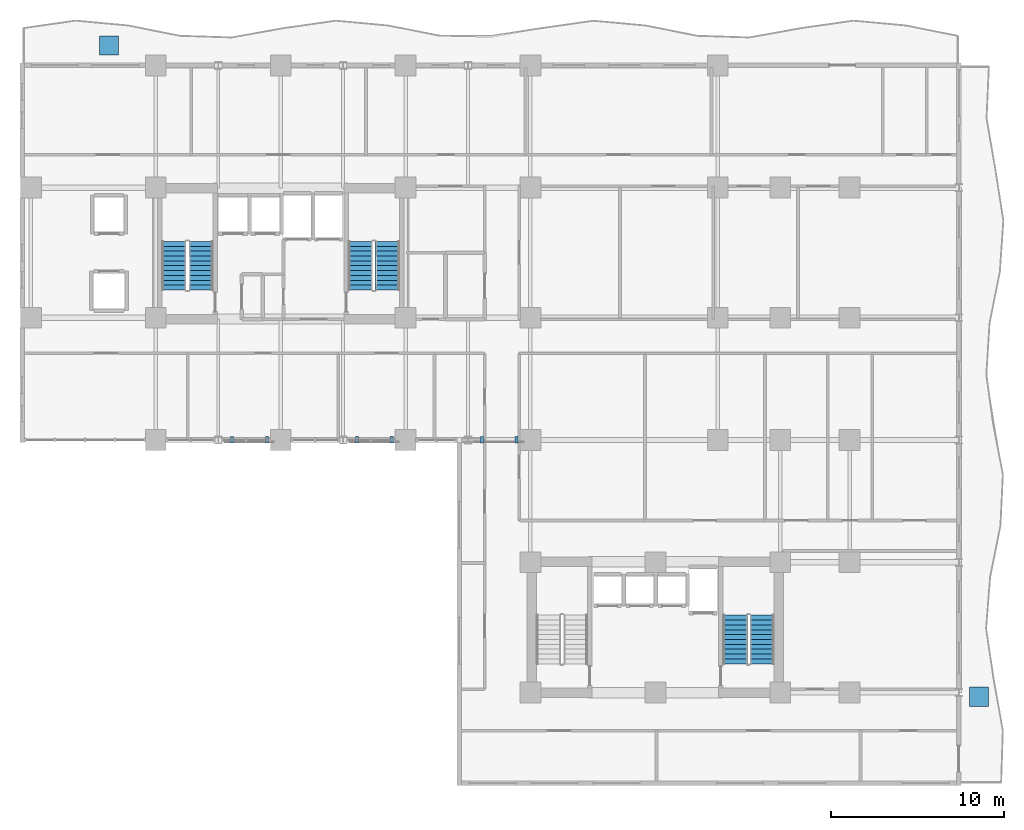
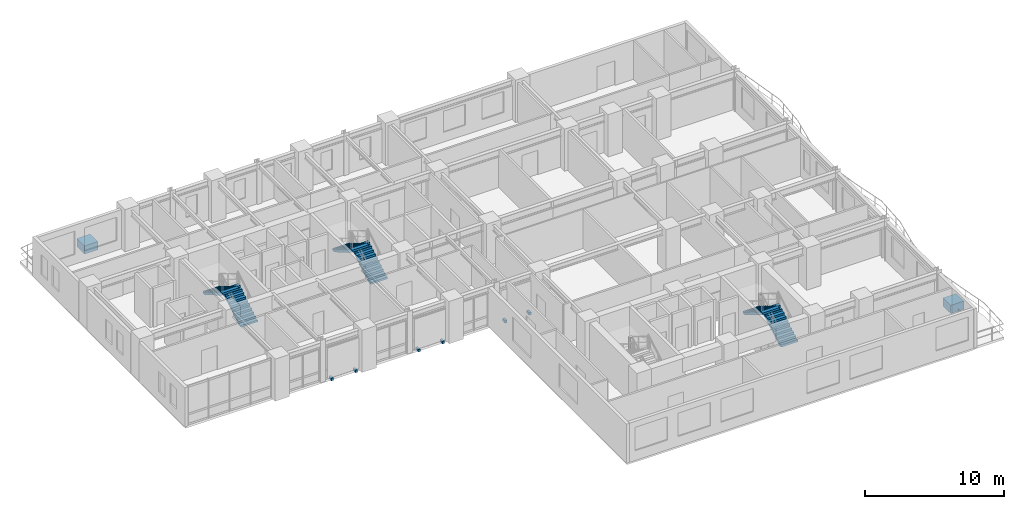
# One storey, part 13 of 16: 8 discrete accessories, 6 stair flights, 3 elements without a shape of their own.
"""IFC4 building model written with IfcOpenShell, lengths in metres."""

from ifc_helpers import new_model, si_unit, direction, frame, origin, origin_2d, place, context, subcontext, project, spatial, polyline, rectangle, outline, extrude, source, transform, mapped, material, type_object, element, aggregate, save


model = new_model("IFC4")

# Units and contexts
model_context = context("Model", 3, precision=1e-05, world=origin(), true_north=direction((0.0, 1.0)))
body_context = subcontext(model_context, "Body", "Model", "MODEL_VIEW")
ifc_project = project(units=[si_unit("LENGTHUNIT", "METRE"), si_unit("AREAUNIT", "SQUARE_METRE"), si_unit("VOLUMEUNIT", "CUBIC_METRE"), si_unit("PLANEANGLEUNIT", "RADIAN"), si_unit("MASSUNIT", "GRAM", prefix="KILO")], contexts=[model_context])

# Site, building, storey
site_placement = place(None, origin())
site = spatial("IfcSite", under=ifc_project, at=site_placement, CompositionType="ELEMENT")
building_placement = place(site_placement, origin())
building = spatial("IfcBuilding", under=site, at=building_placement, Name="Kaliganga Portal Commons", CompositionType="ELEMENT")
storey_placement = place(building_placement, frame((0.0, 0.0, 82.300048828125)))
storey = spatial("IfcBuildingStorey", under=building, at=storey_placement, Name="L20", CompositionType="ELEMENT", Elevation=82.300048828125)

# Stair, stair flights
ifc_material_1 = material(Name="Concrete C40/50", Category="concrete")
stair_type = type_object("IfcStairType", Name="ST-CORE-DOGLEG", PredefinedType="HALF_TURN_STAIR", material=ifc_material_1)
stair_1_placement = place(storey_placement, origin())
stair_1 = element("IfcStair", 1, at=stair_1_placement, inside=storey, type_object=stair_type, Name="L20 Protected Exit Stair ST-A1", PredefinedType="HALF_TURN_STAIR")
stair_flight_type = type_object("IfcStairFlightType", Name="STF-RC-1400", PredefinedType="STRAIGHT", material=ifc_material_1)
stair_flight_1_placement = place(storey_placement, frame((17.0, 30.25, 0.0), z_axis=(0.0, 0.0, 1.0), x_axis=(0.0, 1.0, 0.0)))
stair_flight_1 = element("IfcStairFlight", 2, at=stair_flight_1_placement, type_object=stair_flight_type, Name="ST-A1 flight 1", NumberOfRisers=11, NumberOfTreads=10, PredefinedType="STRAIGHT", RiserHeight=0.168181818, TreadLength=0.28, context=body_context, shape_type="SweptSolid", body=[
    extrude(outline(polyline([(0.0, 0.0), (0.0, 0.168212890625), (0.280029296875, 0.168212890625), (0.280029296875, 0.33642578125), (0.56005859375, 0.33642578125), (0.56005859375, 0.504638671875), (0.840087890625, 0.504638671875), (0.840087890625, 0.672607421875), (1.1201171875, 0.672607421875), (1.1201171875, 0.8408203125), (1.39990234375, 0.8408203125), (1.39990234375, 1.009033203125), (1.679931640625, 1.009033203125), (1.679931640625, 1.17724609375), (1.9599609375, 1.17724609375), (1.9599609375, 1.345458984375), (2.239990234375, 1.345458984375), (2.239990234375, 1.513671875), (2.52001953125, 1.513671875), (2.52001953125, 1.681884765625), (2.800048828125, 1.681884765625), (2.800048828125, 1.85009765625), (2.800048828125, 1.5068359375), (0.291015625, 0.0), (0.0, 0.0)])), frame((0.0, 0.699951171875, 0.0), z_axis=(0.0, -1.0, 0.0), x_axis=(1.0, 0.0, 0.0)), (0.0, 0.0, 1.0), 1.39990234375),
])
stair_flight_2_placement = place(storey_placement, frame((15.449951171875, 33.050048828125, 1.849853515625), z_axis=(0.0, 0.0, 1.0), x_axis=(0.0, -1.0, 0.0)))
stair_flight_2 = element("IfcStairFlight", 3, at=stair_flight_2_placement, type_object=stair_flight_type, Name="ST-A1 flight 2", NumberOfRisers=11, NumberOfTreads=10, PredefinedType="STRAIGHT", RiserHeight=0.168181818, TreadLength=0.28, context=body_context, shape_type="SweptSolid", body=[
    extrude(outline(polyline([(0.0, 0.0), (0.0, 0.168212890625), (0.280029296875, 0.168212890625), (0.280029296875, 0.33642578125), (0.56005859375, 0.33642578125), (0.56005859375, 0.504638671875), (0.840087890625, 0.504638671875), (0.840087890625, 0.672607421875), (1.1201171875, 0.672607421875), (1.1201171875, 0.8408203125), (1.39990234375, 0.8408203125), (1.39990234375, 1.009033203125), (1.679931640625, 1.009033203125), (1.679931640625, 1.17724609375), (1.9599609375, 1.17724609375), (1.9599609375, 1.345458984375), (2.239990234375, 1.345458984375), (2.239990234375, 1.513671875), (2.52001953125, 1.513671875), (2.52001953125, 1.681884765625), (2.800048828125, 1.681884765625), (2.800048828125, 1.85009765625), (2.800048828125, 1.5068359375), (0.291015625, 0.0), (0.0, 0.0)])), frame((0.0, 0.699951171875, 0.0), z_axis=(0.0, -1.0, 0.0), x_axis=(1.0, 0.0, 0.0)), (0.0, 0.0, 1.0), 1.39990234375),
])
aggregate(stair_1, [stair_flight_1, stair_flight_2])

stair_2_placement = place(storey_placement, origin())
stair_2 = element("IfcStair", 4, at=stair_2_placement, inside=storey, type_object=stair_type, Name="L20 Protected Exit Stair ST-A2", PredefinedType="HALF_TURN_STAIR")
stair_flight_3_placement = place(storey_placement, frame((27.75, 30.25, 0.0), z_axis=(0.0, 0.0, 1.0), x_axis=(0.0, 1.0, 0.0)))
stair_flight_3 = element("IfcStairFlight", 5, at=stair_flight_3_placement, type_object=stair_flight_type, Name="ST-A2 flight 1", NumberOfRisers=11, NumberOfTreads=10, PredefinedType="STRAIGHT", RiserHeight=0.168181818, TreadLength=0.28, context=body_context, shape_type="SweptSolid", body=[
    extrude(outline(polyline([(0.0, 0.0), (0.0, 0.168212890625), (0.280029296875, 0.168212890625), (0.280029296875, 0.33642578125), (0.56005859375, 0.33642578125), (0.56005859375, 0.504638671875), (0.840087890625, 0.504638671875), (0.840087890625, 0.672607421875), (1.1201171875, 0.672607421875), (1.1201171875, 0.8408203125), (1.39990234375, 0.8408203125), (1.39990234375, 1.009033203125), (1.679931640625, 1.009033203125), (1.679931640625, 1.17724609375), (1.9599609375, 1.17724609375), (1.9599609375, 1.345458984375), (2.239990234375, 1.345458984375), (2.239990234375, 1.513671875), (2.52001953125, 1.513671875), (2.52001953125, 1.681884765625), (2.800048828125, 1.681884765625), (2.800048828125, 1.85009765625), (2.800048828125, 1.5068359375), (0.291015625, 0.0), (0.0, 0.0)])), frame((0.0, 0.699951171875, 0.0), z_axis=(0.0, -1.0, 0.0), x_axis=(1.0, 0.0, 0.0)), (0.0, 0.0, 1.0), 1.39990234375),
])
stair_flight_4_placement = place(storey_placement, frame((26.199951171875, 33.050048828125, 1.849853515625), z_axis=(0.0, 0.0, 1.0), x_axis=(0.0, -1.0, 0.0)))
stair_flight_4 = element("IfcStairFlight", 6, at=stair_flight_4_placement, type_object=stair_flight_type, Name="ST-A2 flight 2", NumberOfRisers=11, NumberOfTreads=10, PredefinedType="STRAIGHT", RiserHeight=0.168181818, TreadLength=0.28, context=body_context, shape_type="SweptSolid", body=[
    extrude(outline(polyline([(0.0, 0.0), (0.0, 0.168212890625), (0.280029296875, 0.168212890625), (0.280029296875, 0.33642578125), (0.56005859375, 0.33642578125), (0.56005859375, 0.504638671875), (0.840087890625, 0.504638671875), (0.840087890625, 0.672607421875), (1.1201171875, 0.672607421875), (1.1201171875, 0.8408203125), (1.39990234375, 0.8408203125), (1.39990234375, 1.009033203125), (1.679931640625, 1.009033203125), (1.679931640625, 1.17724609375), (1.9599609375, 1.17724609375), (1.9599609375, 1.345458984375), (2.239990234375, 1.345458984375), (2.239990234375, 1.513671875), (2.52001953125, 1.513671875), (2.52001953125, 1.681884765625), (2.800048828125, 1.681884765625), (2.800048828125, 1.85009765625), (2.800048828125, 1.5068359375), (0.291015625, 0.0), (0.0, 0.0)])), frame((0.0, 0.699951171875, 0.0), z_axis=(0.0, -1.0, 0.0), x_axis=(1.0, 0.0, 0.0)), (0.0, 0.0, 1.0), 1.39990234375),
])
aggregate(stair_2, [stair_flight_3, stair_flight_4])

stair_3_placement = place(storey_placement, origin())
stair_3 = element("IfcStair", 7, at=stair_3_placement, inside=storey, type_object=stair_type, Name="L20 Protected Exit Stair ST-B2", PredefinedType="HALF_TURN_STAIR")
stair_flight_5_placement = place(storey_placement, frame((49.35009765625, 8.699951171875, 0.0), z_axis=(0.0, 0.0, 1.0), x_axis=(0.0, 1.0, 0.0)))
stair_flight_5 = element("IfcStairFlight", 8, at=stair_flight_5_placement, type_object=stair_flight_type, Name="ST-B2 flight 1", NumberOfRisers=11, NumberOfTreads=10, PredefinedType="STRAIGHT", RiserHeight=0.168181818, TreadLength=0.28, context=body_context, shape_type="SweptSolid", body=[
    extrude(outline(polyline([(0.0, 0.0), (0.0, 0.168212890625), (0.280029296875, 0.168212890625), (0.280029296875, 0.33642578125), (0.56005859375, 0.33642578125), (0.56005859375, 0.504638671875), (0.840087890625, 0.504638671875), (0.840087890625, 0.672607421875), (1.1201171875, 0.672607421875), (1.1201171875, 0.8408203125), (1.39990234375, 0.8408203125), (1.39990234375, 1.009033203125), (1.679931640625, 1.009033203125), (1.679931640625, 1.17724609375), (1.9599609375, 1.17724609375), (1.9599609375, 1.345458984375), (2.239990234375, 1.345458984375), (2.239990234375, 1.513671875), (2.52001953125, 1.513671875), (2.52001953125, 1.681884765625), (2.800048828125, 1.681884765625), (2.800048828125, 1.85009765625), (2.800048828125, 1.5068359375), (0.291015625, 0.0), (0.0, 0.0)])), frame((0.0, 0.699951171875, 0.0), z_axis=(0.0, -1.0, 0.0), x_axis=(1.0, 0.0, 0.0)), (0.0, 0.0, 1.0), 1.39990234375),
])
stair_flight_6_placement = place(storey_placement, frame((47.800048828125, 11.5, 1.849853515625), z_axis=(0.0, 0.0, 1.0), x_axis=(0.0, -1.0, 0.0)))
stair_flight_6 = element("IfcStairFlight", 9, at=stair_flight_6_placement, type_object=stair_flight_type, Name="ST-B2 flight 2", NumberOfRisers=11, NumberOfTreads=10, PredefinedType="STRAIGHT", RiserHeight=0.168181818, TreadLength=0.28, context=body_context, shape_type="SweptSolid", body=[
    extrude(outline(polyline([(0.0, 0.0), (0.0, 0.168212890625), (0.280029296875, 0.168212890625), (0.280029296875, 0.33642578125), (0.56005859375, 0.33642578125), (0.56005859375, 0.504638671875), (0.840087890625, 0.504638671875), (0.840087890625, 0.672607421875), (1.1201171875, 0.672607421875), (1.1201171875, 0.8408203125), (1.39990234375, 0.8408203125), (1.39990234375, 1.009033203125), (1.679931640625, 1.009033203125), (1.679931640625, 1.17724609375), (1.9599609375, 1.17724609375), (1.9599609375, 1.345458984375), (2.239990234375, 1.345458984375), (2.239990234375, 1.513671875), (2.52001953125, 1.513671875), (2.52001953125, 1.681884765625), (2.800048828125, 1.681884765625), (2.800048828125, 1.85009765625), (2.800048828125, 1.5068359375), (0.291015625, 0.0), (0.0, 0.0)])), frame((0.0, 0.699951171875, 0.0), z_axis=(0.0, -1.0, 0.0), x_axis=(1.0, 0.0, 0.0)), (0.0, 0.0, 1.0), 1.39990234375),
])
aggregate(stair_3, [stair_flight_5, stair_flight_6])

# Discrete accessories
ifc_material_2 = material(Name="Precast concrete C40/50", Category="concrete")
discrete_accessory_type_1 = type_object("IfcDiscreteAccessoryType", Name="DAC-PLANTER-RC", PredefinedType="USERDEFINED", material=ifc_material_2)
shared_shape_1 = source(origin(), body_context, "Body", "SweptSolid", [
    extrude(rectangle(XDim=1.10009765625, YDim=1.10009765625, at=origin_2d()), origin(), (0.0, 0.0, 1.0), 0.719970703125),
])
for number, where, z_axis, x_axis, name in (
    (10, (11.699951171875, 44.35009765625, 0.0), (0.0, 0.0, 1.0), (1.0, 0.0, 0.0), "Structural Tree Planter L20 balc_north"),
    (11, (61.85009765625, 6.800048828125, 0.0), (0.0, 0.0, 1.0), (1.0, 0.0, 0.0), "Structural Tree Planter L20 balc_east"),
):
    element("IfcDiscreteAccessory", number, at=place(storey_placement, frame(where, z_axis=z_axis, x_axis=x_axis)), inside=storey, type_object=discrete_accessory_type_1, Name=name, ObjectType="PLANTER", PredefinedType="USERDEFINED", context=body_context, shape_type="MappedRepresentation", body=[
        mapped(shared_shape_1, transform((0.0, 0.0, 0.0), x_axis=(1.0, 0.0, 0.0), y_axis=(0.0, 1.0, 0.0), z_axis=(0.0, 0.0, 1.0), scale=1.0)),
    ])
ifc_material_3 = material(Name="Structural steel S355J2", Category="steel")
discrete_accessory_type_2 = type_object("IfcDiscreteAccessoryType", Name="DAC-BRK-SCR", PredefinedType="BRACKET", material=ifc_material_3)
shared_shape_2 = source(origin(), body_context, "Body", "SweptSolid", [
    extrude(rectangle(XDim=0.179931640625, YDim=0.360107421875, at=origin_2d()), origin(), (0.0, 0.0, 1.0), 0.219970703125),
])
for number, where, z_axis, x_axis, name in (
    (12, (18.800048828125, 21.6201171875, -0.18994140625), (0.0, 0.0, 1.0), (1.0, 0.0, 0.0), "Solar Screen Outrigger Bracket L20-S1-1"),
    (13, (20.800048828125, 21.6201171875, -0.18994140625), (0.0, 0.0, 1.0), (1.0, 0.0, 0.0), "Solar Screen Outrigger Bracket L20-S1-2"),
    (14, (26.0, 21.6201171875, -0.18994140625), (0.0, 0.0, 1.0), (1.0, 0.0, 0.0), "Solar Screen Outrigger Bracket L20-S2-1"),
    (15, (28.0, 21.6201171875, -0.18994140625), (0.0, 0.0, 1.0), (1.0, 0.0, 0.0), "Solar Screen Outrigger Bracket L20-S2-2"),
    (16, (33.199951171875, 21.6201171875, -0.18994140625), (0.0, 0.0, 1.0), (1.0, 0.0, 0.0), "Solar Screen Outrigger Bracket L20-S3-1"),
    (17, (35.199951171875, 21.6201171875, -0.18994140625), (0.0, 0.0, 1.0), (1.0, 0.0, 0.0), "Solar Screen Outrigger Bracket L20-S3-2"),
):
    element("IfcDiscreteAccessory", number, at=place(storey_placement, frame(where, z_axis=z_axis, x_axis=x_axis)), inside=storey, type_object=discrete_accessory_type_2, Name=name, PredefinedType="BRACKET", context=body_context, shape_type="MappedRepresentation", body=[
        mapped(shared_shape_2, transform((0.0, 0.0, 0.0), x_axis=(1.0, 0.0, 0.0), y_axis=(0.0, 1.0, 0.0), z_axis=(0.0, 0.0, 1.0), scale=1.0)),
    ])

save(model, "model.ifc")
